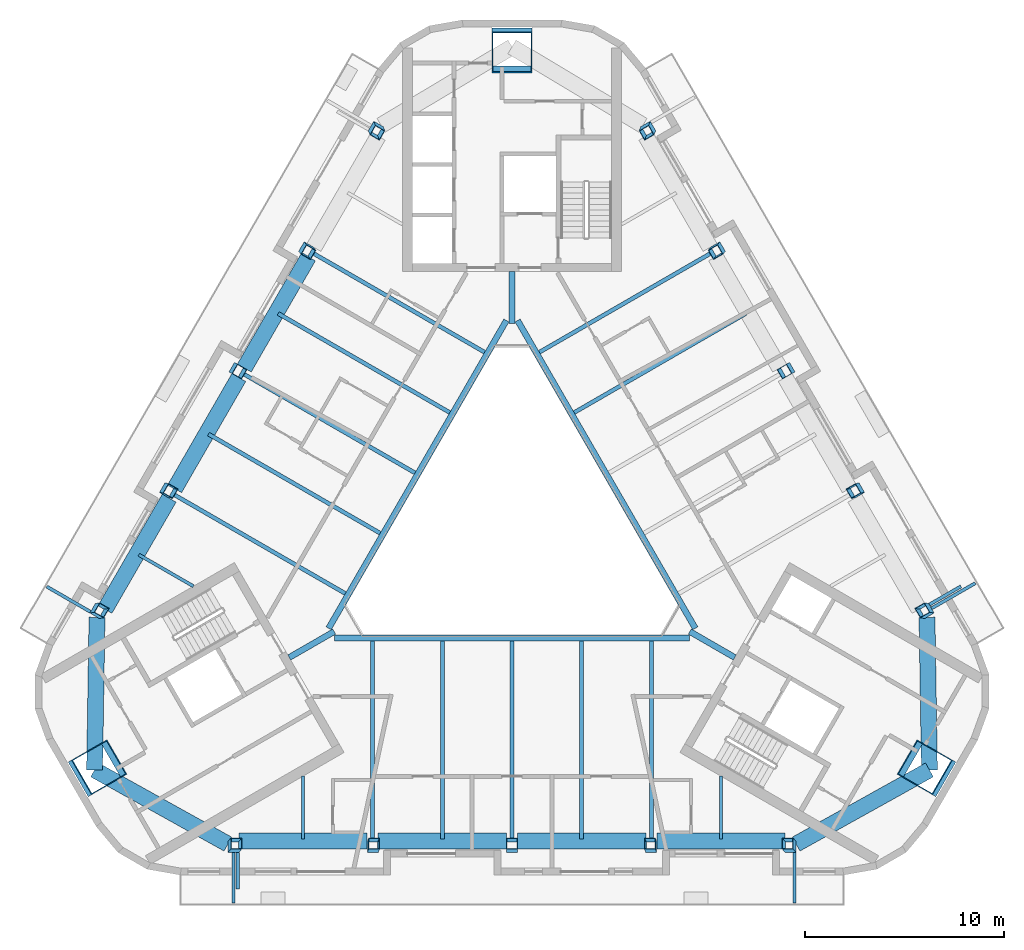
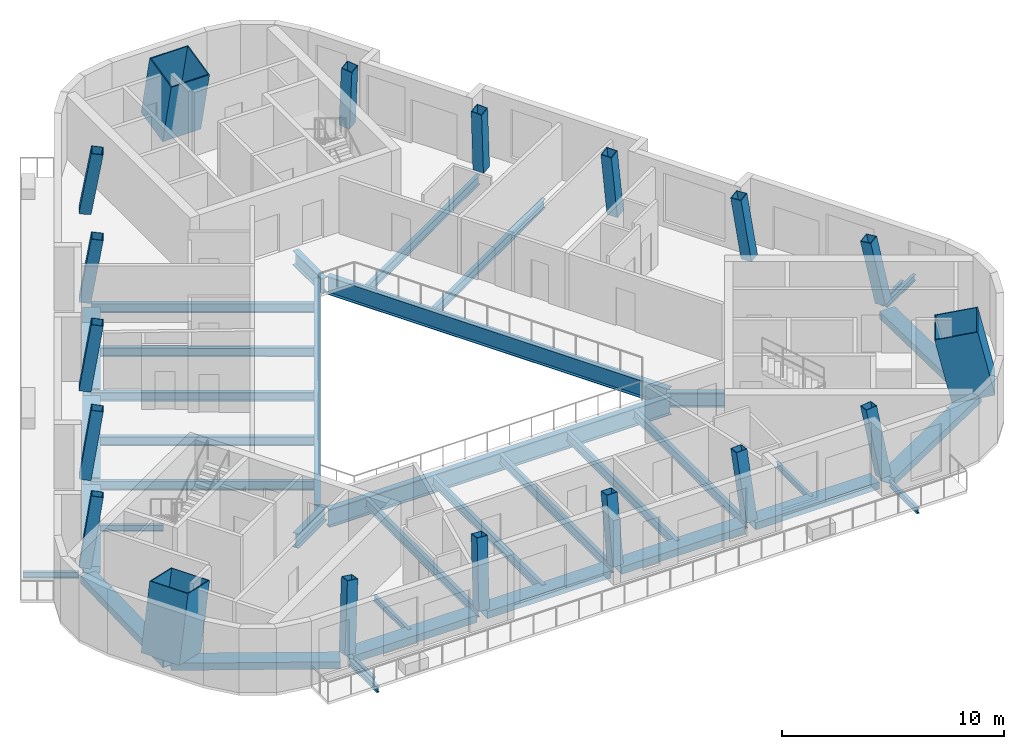
# One storey, part 1 of 13: 38 beams, 18 columns.
"""IFC4 building model written with IfcOpenShell, lengths in metres."""

from ifc_helpers import new_model, si_unit, direction, frame, origin, origin_2d, place, context, subcontext, project, spatial, rectangle, hollow_rectangle, i_section, extrude, boolean, halfspace, material, material_profile, profile_set, type_object, element, save


model = new_model("IFC4")

# Units and contexts
model_context = context("Model", 3, precision=1e-05, world=origin(), true_north=direction((0.0, 1.0)))
body_context = subcontext(model_context, "Body", "Model", "MODEL_VIEW")
ifc_project = project(units=[si_unit("LENGTHUNIT", "METRE"), si_unit("AREAUNIT", "SQUARE_METRE"), si_unit("VOLUMEUNIT", "CUBIC_METRE"), si_unit("PLANEANGLEUNIT", "RADIAN"), si_unit("MASSUNIT", "GRAM", prefix="KILO")], contexts=[model_context])

# Site, building, storey
site_placement = place(None, origin())
site = spatial("IfcSite", under=ifc_project, at=site_placement, CompositionType="ELEMENT")
building_placement = place(site_placement, origin())
building = spatial("IfcBuilding", under=site, at=building_placement, Name="Apuvela Tower Hotel", CompositionType="ELEMENT")
storey_placement = place(building_placement, frame((0.0, 0.0, 298.5)))
storey = spatial("IfcBuildingStorey", under=building, at=storey_placement, Name="L74", CompositionType="ELEMENT", Elevation=298.5)

# Columns
ifc_material_1 = material(Name="Steel S460", Category="steel")
ifc_material_profile_1 = material_profile(ifc_material_1, hollow_rectangle(XDim=2.0, YDim=2.0, WallThickness=0.050048828125, at=origin_2d()), Name="BOX 2000x2000x50")
ifc_material_2 = material(Name="Concrete C80/95", Category="concrete")
ifc_material_profile_2 = material_profile(ifc_material_2, rectangle(XDim=1.89990234375, YDim=1.89990234375, at=origin_2d()), Name="Concrete C80/95 infill")
ifc_profile_set_1 = profile_set([ifc_material_profile_1, ifc_material_profile_2], Name="Steel S460")
column_type_1 = type_object("IfcColumnType", Name="STR-MC mega column BOX 2000x2000x50", PredefinedType="COLUMN", material=ifc_profile_set_1)
for number, where, z_axis, x_axis, name in (
    (1, (0.0, 24.175048828125, 0.0), (0.0, -0.21982618752, 0.975539054718), (1.0, 0.0, 0.0), "Mega column MC4 N"),
    (2, (-20.936279296875, -12.08740234375, 0.0), (0.190408197016, 0.109880592395, 0.975536249416), (-0.499868084483, 0.866101551773, 1.1510724e-05), "Mega column MC4 SW"),
    (3, (20.936279296875, -12.08740234375, 0.0), (-0.190408197016, 0.109880592395, 0.975536249416), (0.499868084483, 0.866101551773, 1.1510724e-05), "Mega column MC4 SE"),
):
    element("IfcColumn", number, at=place(storey_placement, frame(where, z_axis=z_axis, x_axis=x_axis)), inside=storey, type_object=column_type_1, Name=name, PredefinedType="COLUMN", context=body_context, shape_type="SweptSolid", body=[
        boolean("DIFFERENCE", boolean("DIFFERENCE", extrude(hollow_rectangle(XDim=2.0, YDim=2.0, WallThickness=0.050048828125, at=origin_2d()), origin(), (0.0, 0.0, 1.0), 3.792724609375), halfspace(frame((0.0, 0.0, 0.11328125), z_axis=(0.0, 0.0, 1.0), x_axis=(1.0, 0.0, 0.0)), True)), halfspace(frame((0.0, 0.0, 3.679443359375), z_axis=(0.0, 0.0, 1.0), x_axis=(1.0, 0.0, 0.0)), False)),
    ])
ifc_material_profile_3 = material_profile(ifc_material_1, hollow_rectangle(XDim=0.550048828125, YDim=0.550048828125, WallThickness=0.02490234375, at=origin_2d()), Name="BOX 550x550x25")
ifc_material_profile_4 = material_profile(ifc_material_2, rectangle(XDim=0.5, YDim=0.5, at=origin_2d()), Name="Concrete C80/95 infill")
ifc_profile_set_2 = profile_set([ifc_material_profile_3, ifc_material_profile_4], Name="Steel S460")
column_type_2 = type_object("IfcColumnType", Name="STR-PC perimeter column BOX 550x550x25", PredefinedType="COLUMN", material=ifc_profile_set_2)
column_1_placement = place(storey_placement, frame((-13.97412109375, -15.961669921875, 0.0), z_axis=(0.121006106938, 0.150399778714, 0.981191840899), x_axis=(-0.992607126943, 0.008959505222, 0.121040566785)))
element("IfcColumn", 4, at=column_1_placement, inside=storey, type_object=column_type_2, Name="Perimeter column C7 S1", PredefinedType="COLUMN", context=body_context, shape_type="SweptSolid", body=[
    boolean("DIFFERENCE", boolean("DIFFERENCE", extrude(hollow_rectangle(XDim=0.550048828125, YDim=0.550048828125, WallThickness=0.02490234375, at=origin_2d()), origin(), (0.0, 0.0, 1.0), 3.77099609375), halfspace(frame((0.0, 0.0, 0.039794921875), z_axis=(0.0, 0.0, 1.0), x_axis=(1.0, 0.0, 0.0)), True)), halfspace(frame((0.0, 0.0, 3.73095703125), z_axis=(0.0, 0.0, 1.0), x_axis=(1.0, 0.0, 0.0)), False)),
])
column_2_placement = place(storey_placement, frame((-6.987060546875, -15.961669921875, 0.0), z_axis=(0.060870463553, 0.151232178432, 0.986622326361), x_axis=(-0.998135049207, 0.004661833801, 0.060866171632)))
element("IfcColumn", 5, at=column_2_placement, inside=storey, type_object=column_type_2, Name="Perimeter column C7 S2", PredefinedType="COLUMN", context=body_context, shape_type="SweptSolid", body=[
    boolean("DIFFERENCE", boolean("DIFFERENCE", extrude(hollow_rectangle(XDim=0.550048828125, YDim=0.550048828125, WallThickness=0.02490234375, at=origin_2d()), origin(), (0.0, 0.0, 1.0), 3.75), halfspace(frame((0.0, 0.0, 0.033935546875), z_axis=(0.0, 0.0, 1.0), x_axis=(1.0, 0.0, 0.0)), True)), halfspace(frame((0.0, 0.0, 3.71630859375), z_axis=(0.0, 0.0, 1.0), x_axis=(1.0, 0.0, 0.0)), False)),
])
column_3_placement = place(storey_placement, frame((0.0, -15.961669921875, 0.0), z_axis=(0.0, 0.151513133163, 0.98845524455), x_axis=(-1.0, 0.0, 0.0)))
element("IfcColumn", 6, at=column_3_placement, inside=storey, type_object=column_type_2, Name="Perimeter column C7 S3", PredefinedType="COLUMN", context=body_context, shape_type="SweptSolid", body=[
    boolean("DIFFERENCE", boolean("DIFFERENCE", extrude(hollow_rectangle(XDim=0.550048828125, YDim=0.550048828125, WallThickness=0.02490234375, at=origin_2d()), origin(), (0.0, 0.0, 1.0), 3.7431640625), halfspace(frame((0.0, 0.0, 0.031494140625), z_axis=(0.0, 0.0, 1.0), x_axis=(1.0, 0.0, 0.0)), True)), halfspace(frame((0.0, 0.0, 3.711669921875), z_axis=(0.0, 0.0, 1.0), x_axis=(1.0, 0.0, 0.0)), False)),
])
column_4_placement = place(storey_placement, frame((6.987060546875, -15.961669921875, 0.0), z_axis=(-0.060870463553, 0.151232178432, 0.986622326361), x_axis=(0.998135049207, 0.004661833801, 0.060866171632)))
element("IfcColumn", 7, at=column_4_placement, inside=storey, type_object=column_type_2, Name="Perimeter column C7 S4", PredefinedType="COLUMN", context=body_context, shape_type="SweptSolid", body=[
    boolean("DIFFERENCE", boolean("DIFFERENCE", extrude(hollow_rectangle(XDim=0.550048828125, YDim=0.550048828125, WallThickness=0.02490234375, at=origin_2d()), origin(), (0.0, 0.0, 1.0), 3.75), halfspace(frame((0.0, 0.0, 0.033935546875), z_axis=(0.0, 0.0, 1.0), x_axis=(1.0, 0.0, 0.0)), True)), halfspace(frame((0.0, 0.0, 3.71630859375), z_axis=(0.0, 0.0, 1.0), x_axis=(1.0, 0.0, 0.0)), False)),
])
column_5_placement = place(storey_placement, frame((13.97412109375, -15.961669921875, 0.0), z_axis=(-0.121006106938, 0.150399778714, 0.981191840899), x_axis=(0.992607126943, 0.008959505222, 0.121040566785)))
element("IfcColumn", 8, at=column_5_placement, inside=storey, type_object=column_type_2, Name="Perimeter column C7 S5", PredefinedType="COLUMN", context=body_context, shape_type="SweptSolid", body=[
    boolean("DIFFERENCE", boolean("DIFFERENCE", extrude(hollow_rectangle(XDim=0.550048828125, YDim=0.550048828125, WallThickness=0.02490234375, at=origin_2d()), origin(), (0.0, 0.0, 1.0), 3.77099609375), halfspace(frame((0.0, 0.0, 0.039794921875), z_axis=(0.0, 0.0, 1.0), x_axis=(1.0, 0.0, 0.0)), True)), halfspace(frame((0.0, 0.0, 3.73095703125), z_axis=(0.0, 0.0, 1.0), x_axis=(1.0, 0.0, 0.0)), False)),
])
column_6_placement = place(storey_placement, frame((20.810302734375, -4.12109375, 0.0), z_axis=(-0.190735837279, 0.02958801006, 0.981195388309), x_axis=(0.488489055842, -0.864137452388, 0.121016138189)))
element("IfcColumn", 9, at=column_6_placement, inside=storey, type_object=column_type_2, Name="Perimeter column C7 NE1", PredefinedType="COLUMN", context=body_context, shape_type="SweptSolid", body=[
    boolean("DIFFERENCE", boolean("DIFFERENCE", extrude(hollow_rectangle(XDim=0.550048828125, YDim=0.550048828125, WallThickness=0.02490234375, at=origin_2d()), origin(), (0.0, 0.0, 1.0), 3.770751953125), halfspace(frame((0.0, 0.0, 0.039794921875), z_axis=(0.0, 0.0, 1.0), x_axis=(1.0, 0.0, 0.0)), True)), halfspace(frame((0.0, 0.0, 3.73095703125), z_axis=(0.0, 0.0, 1.0), x_axis=(1.0, 0.0, 0.0)), False)),
])
column_7_placement = place(storey_placement, frame((17.316650390625, 1.9296875, 0.0), z_axis=(-0.161388759957, -0.022850929707, 0.98662632398), x_axis=(0.494767653448, -0.866891976592, 0.060854498787)))
element("IfcColumn", 10, at=column_7_placement, inside=storey, type_object=column_type_2, Name="Perimeter column C7 NE2", PredefinedType="COLUMN", context=body_context, shape_type="SweptSolid", body=[
    boolean("DIFFERENCE", boolean("DIFFERENCE", extrude(hollow_rectangle(XDim=0.550048828125, YDim=0.550048828125, WallThickness=0.02490234375, at=origin_2d()), origin(), (0.0, 0.0, 1.0), 3.75), halfspace(frame((0.0, 0.0, 0.033935546875), z_axis=(0.0, 0.0, 1.0), x_axis=(1.0, 0.0, 0.0)), True)), halfspace(frame((0.0, 0.0, 3.71630859375), z_axis=(0.0, 0.0, 1.0), x_axis=(1.0, 0.0, 0.0)), False)),
])
column_8_placement = place(storey_placement, frame((13.8232421875, 7.980712890625, 0.0), z_axis=(-0.131228839908, -0.075723997581, 0.988455799602), x_axis=(0.499841813697, -0.866116713392, 7.933019e-06)))
element("IfcColumn", 11, at=column_8_placement, inside=storey, type_object=column_type_2, Name="Perimeter column C7 NE3", PredefinedType="COLUMN", context=body_context, shape_type="SweptSolid", body=[
    boolean("DIFFERENCE", boolean("DIFFERENCE", extrude(hollow_rectangle(XDim=0.550048828125, YDim=0.550048828125, WallThickness=0.02490234375, at=origin_2d()), origin(), (0.0, 0.0, 1.0), 3.7431640625), halfspace(frame((0.0, 0.0, 0.031494140625), z_axis=(0.0, 0.0, 1.0), x_axis=(1.0, 0.0, 0.0)), True)), halfspace(frame((0.0, 0.0, 3.711669921875), z_axis=(0.0, 0.0, 1.0), x_axis=(1.0, 0.0, 0.0)), False)),
])
column_9_placement = place(storey_placement, frame((10.32958984375, 14.03173828125, 0.0), z_axis=(-0.100518021011, -0.128316722417, 0.98662604172), x_axis=(-0.503129383785, 0.862065632243, 0.060857775822)))
element("IfcColumn", 12, at=column_9_placement, inside=storey, type_object=column_type_2, Name="Perimeter column C7 NE4", PredefinedType="COLUMN", context=body_context, shape_type="SweptSolid", body=[
    boolean("DIFFERENCE", boolean("DIFFERENCE", extrude(hollow_rectangle(XDim=0.550048828125, YDim=0.550048828125, WallThickness=0.02490234375, at=origin_2d()), origin(), (0.0, 0.0, 1.0), 3.75), halfspace(frame((0.0, 0.0, 0.033935546875), z_axis=(0.0, 0.0, 1.0), x_axis=(1.0, 0.0, 0.0)), True)), halfspace(frame((0.0, 0.0, 3.71630859375), z_axis=(0.0, 0.0, 1.0), x_axis=(1.0, 0.0, 0.0)), False)),
])
for number, where, z_axis, x_axis, name in (
    (13, (6.836181640625, 20.0830078125, 0.0), (-0.069728397733, -0.180050765176, 0.981182792608), (-0.504246941598, 0.855030910201, 0.121066776982), "Perimeter column C7 NE5"),
    (14, (-6.836181640625, 20.0830078125, 0.0), (0.069728397733, -0.180050765176, 0.981182792608), (0.504246941598, 0.855030910201, 0.121066776982), "Perimeter column C7 NW1"),
):
    element("IfcColumn", number, at=place(storey_placement, frame(where, z_axis=z_axis, x_axis=x_axis)), inside=storey, type_object=column_type_2, Name=name, PredefinedType="COLUMN", context=body_context, shape_type="SweptSolid", body=[
        boolean("DIFFERENCE", boolean("DIFFERENCE", extrude(hollow_rectangle(XDim=0.550048828125, YDim=0.550048828125, WallThickness=0.02490234375, at=origin_2d()), origin(), (0.0, 0.0, 1.0), 3.77099609375), halfspace(frame((0.0, 0.0, 0.039794921875), z_axis=(0.0, 0.0, 1.0), x_axis=(1.0, 0.0, 0.0)), True)), halfspace(frame((0.0, 0.0, 3.73095703125), z_axis=(0.0, 0.0, 1.0), x_axis=(1.0, 0.0, 0.0)), False)),
    ])
column_10_placement = place(storey_placement, frame((-10.32958984375, 14.03173828125, 0.0), z_axis=(0.100518021011, -0.128316722417, 0.98662604172), x_axis=(0.503129383785, 0.862065632243, 0.060857775822)))
element("IfcColumn", 15, at=column_10_placement, inside=storey, type_object=column_type_2, Name="Perimeter column C7 NW2", PredefinedType="COLUMN", context=body_context, shape_type="SweptSolid", body=[
    boolean("DIFFERENCE", boolean("DIFFERENCE", extrude(hollow_rectangle(XDim=0.550048828125, YDim=0.550048828125, WallThickness=0.02490234375, at=origin_2d()), origin(), (0.0, 0.0, 1.0), 3.75), halfspace(frame((0.0, 0.0, 0.033935546875), z_axis=(0.0, 0.0, 1.0), x_axis=(1.0, 0.0, 0.0)), True)), halfspace(frame((0.0, 0.0, 3.71630859375), z_axis=(0.0, 0.0, 1.0), x_axis=(1.0, 0.0, 0.0)), False)),
])
column_11_placement = place(storey_placement, frame((-13.8232421875, 7.980712890625, 0.0), z_axis=(0.131228839908, -0.075723997581, 0.988455799602), x_axis=(-0.499841813697, -0.866116713392, 7.933019e-06)))
element("IfcColumn", 16, at=column_11_placement, inside=storey, type_object=column_type_2, Name="Perimeter column C7 NW3", PredefinedType="COLUMN", context=body_context, shape_type="SweptSolid", body=[
    boolean("DIFFERENCE", boolean("DIFFERENCE", extrude(hollow_rectangle(XDim=0.550048828125, YDim=0.550048828125, WallThickness=0.02490234375, at=origin_2d()), origin(), (0.0, 0.0, 1.0), 3.7431640625), halfspace(frame((0.0, 0.0, 0.031494140625), z_axis=(0.0, 0.0, 1.0), x_axis=(1.0, 0.0, 0.0)), True)), halfspace(frame((0.0, 0.0, 3.711669921875), z_axis=(0.0, 0.0, 1.0), x_axis=(1.0, 0.0, 0.0)), False)),
])
column_12_placement = place(storey_placement, frame((-17.316650390625, 1.9296875, 0.0), z_axis=(0.161388759957, -0.022850929707, 0.98662632398), x_axis=(-0.494767653448, -0.866891976592, 0.060854498787)))
element("IfcColumn", 17, at=column_12_placement, inside=storey, type_object=column_type_2, Name="Perimeter column C7 NW4", PredefinedType="COLUMN", context=body_context, shape_type="SweptSolid", body=[
    boolean("DIFFERENCE", boolean("DIFFERENCE", extrude(hollow_rectangle(XDim=0.550048828125, YDim=0.550048828125, WallThickness=0.02490234375, at=origin_2d()), origin(), (0.0, 0.0, 1.0), 3.75), halfspace(frame((0.0, 0.0, 0.033935546875), z_axis=(0.0, 0.0, 1.0), x_axis=(1.0, 0.0, 0.0)), True)), halfspace(frame((0.0, 0.0, 3.71630859375), z_axis=(0.0, 0.0, 1.0), x_axis=(1.0, 0.0, 0.0)), False)),
])
column_13_placement = place(storey_placement, frame((-20.810302734375, -4.12109375, 0.0), z_axis=(0.190735837279, 0.02958801006, 0.981195388309), x_axis=(-0.488489055842, -0.864137452388, 0.121016138189)))
element("IfcColumn", 18, at=column_13_placement, inside=storey, type_object=column_type_2, Name="Perimeter column C7 NW5", PredefinedType="COLUMN", context=body_context, shape_type="SweptSolid", body=[
    boolean("DIFFERENCE", boolean("DIFFERENCE", extrude(hollow_rectangle(XDim=0.550048828125, YDim=0.550048828125, WallThickness=0.02490234375, at=origin_2d()), origin(), (0.0, 0.0, 1.0), 3.770751953125), halfspace(frame((0.0, 0.0, 0.039794921875), z_axis=(0.0, 0.0, 1.0), x_axis=(1.0, 0.0, 0.0)), True)), halfspace(frame((0.0, 0.0, 3.73095703125), z_axis=(0.0, 0.0, 1.0), x_axis=(1.0, 0.0, 0.0)), False)),
])

# Beams
ifc_material_3 = material(Name="Steel S355", Category="steel")
ifc_material_profile_5 = material_profile(ifc_material_3, i_section(OverallWidth=0.159912109375, OverallDepth=0.330078125, WebThickness=0.007568359375, FlangeThickness=0.011474609375, at=origin_2d()), Name="IPE 330")
ifc_profile_set_3 = profile_set([ifc_material_profile_5], Name="Steel S355")
beam_type_1 = type_object("IfcBeamType", Name="ENV-BALCONY-BEAM-IPE330", PredefinedType="BEAM", material=ifc_profile_set_3)
beam_1_placement = place(storey_placement, frame((-13.97412109375, -16.236572265625, -0.31494140625), z_axis=(0.0, -1.0, 0.0), x_axis=(1.0, 0.0, 0.0)))
element("IfcBeam", 19, at=beam_1_placement, inside=storey, type_object=beam_type_1, Name="Balcony cantilever beam S1 L74", PredefinedType="BEAM", context=body_context, shape_type="SweptSolid", body=[
    extrude(i_section(OverallWidth=0.159912109375, OverallDepth=0.330078125, WebThickness=0.007568359375, FlangeThickness=0.011474609375, at=origin_2d()), origin(), (0.0, 0.0, 1.0), 2.525146484375),
])
beam_2_placement = place(storey_placement, frame((-13.754150390625, -16.236572265625, -0.31494140625), z_axis=(0.0, -1.0, 0.0), x_axis=(1.0, 0.0, 0.0)))
element("IfcBeam", 20, at=beam_2_placement, inside=storey, type_object=beam_type_1, Name="Balcony cantilever beam S2 L74", PredefinedType="BEAM", context=body_context, shape_type="SweptSolid", body=[
    extrude(i_section(OverallWidth=0.159912109375, OverallDepth=0.330078125, WebThickness=0.007568359375, FlangeThickness=0.011474609375, at=origin_2d()), origin(), (0.0, 0.0, 1.0), 1.824951171875),
])
beam_3_placement = place(storey_placement, frame((14.17431640625, -16.236572265625, -0.31494140625), z_axis=(0.0, -1.0, 0.0), x_axis=(1.0, 0.0, 0.0)))
element("IfcBeam", 21, at=beam_3_placement, inside=storey, type_object=beam_type_1, Name="Balcony cantilever beam S3 L74", PredefinedType="BEAM", context=body_context, shape_type="SweptSolid", body=[
    extrude(i_section(OverallWidth=0.159912109375, OverallDepth=0.330078125, WebThickness=0.007568359375, FlangeThickness=0.011474609375, at=origin_2d()), origin(), (0.0, 0.0, 1.0), 2.525146484375),
])
beam_4_placement = place(storey_placement, frame((21.048583984375, -3.983642578125, -0.31494140625), z_axis=(0.866014894461, 0.50001820224, 0.0), x_axis=(-0.50001820224, 0.866014894461, 0.0)))
element("IfcBeam", 22, at=beam_4_placement, inside=storey, type_object=beam_type_1, Name="Balcony cantilever beam NE1 L74", PredefinedType="BEAM", context=body_context, shape_type="SweptSolid", body=[
    extrude(i_section(OverallWidth=0.159912109375, OverallDepth=0.330078125, WebThickness=0.007568359375, FlangeThickness=0.011474609375, at=origin_2d()), origin(), (0.0, 0.0, 1.0), 2.52490234375),
])
beam_5_placement = place(storey_placement, frame((20.9384765625, -3.793212890625, -0.31494140625), z_axis=(0.866011828767, 0.500023511883, 0.0), x_axis=(-0.500023511883, 0.866011828767, 0.0)))
element("IfcBeam", 23, at=beam_5_placement, inside=storey, type_object=beam_type_1, Name="Balcony cantilever beam NE2 L74", PredefinedType="BEAM", context=body_context, shape_type="SweptSolid", body=[
    extrude(i_section(OverallWidth=0.159912109375, OverallDepth=0.330078125, WebThickness=0.007568359375, FlangeThickness=0.011474609375, at=origin_2d()), origin(), (0.0, 0.0, 1.0), 1.8251953125),
])
beam_6_placement = place(storey_placement, frame((-21.1484375, -4.156982421875, -0.31494140625), z_axis=(-0.865997200291, 0.500048846702, 0.0), x_axis=(-0.500048846702, -0.865997200291, 0.0)))
element("IfcBeam", 24, at=beam_6_placement, inside=storey, type_object=beam_type_1, Name="Balcony cantilever beam NW3 L74", PredefinedType="BEAM", context=body_context, shape_type="SweptSolid", body=[
    extrude(i_section(OverallWidth=0.159912109375, OverallDepth=0.330078125, WebThickness=0.007568359375, FlangeThickness=0.011474609375, at=origin_2d()), origin(), (0.0, 0.0, 1.0), 2.525146484375),
])
ifc_material_profile_6 = material_profile(ifc_material_3, i_section(OverallWidth=0.159912109375, OverallDepth=0.330078125, WebThickness=0.007568359375, FlangeThickness=0.011474609375, at=origin_2d()), Name="IPE 330")
ifc_profile_set_4 = profile_set([ifc_material_profile_6], Name="Steel S355")
beam_type_2 = type_object("IfcBeamType", Name="STR-B floor beam IPE 330", PredefinedType="BEAM", material=ifc_profile_set_4)
for number, where, z_axis, x_axis, name in (
    (25, (-18.717041015625, -1.295654296875, -0.31494140625), (0.866023457084, -0.500003371769, 0.0), (0.500003371769, 0.866023457084, 0.0), "Floor beam B1 NW8"),
    (26, (-10.480712890625, -15.5615234375, -0.31494140625), (0.0, 1.0, 0.0), (-1.0, 0.0, 0.0), "Floor beam B1 S2"),
    (27, (10.480712890625, -15.5615234375, -0.31494140625), (0.0, 1.0, 0.0), (-1.0, 0.0, 0.0), "Floor beam B1 S8"),
):
    element("IfcBeam", number, at=place(storey_placement, frame(where, z_axis=z_axis, x_axis=x_axis)), inside=storey, type_object=beam_type_2, Name=name, PredefinedType="BEAM", context=body_context, shape_type="SweptSolid", body=[
        extrude(i_section(OverallWidth=0.159912109375, OverallDepth=0.330078125, WebThickness=0.007568359375, FlangeThickness=0.011474609375, at=origin_2d()), origin(), (0.0, 0.0, 1.0), 3.15966796875),
    ])
ifc_material_profile_7 = material_profile(ifc_material_3, i_section(OverallWidth=0.199951171875, OverallDepth=0.5, WebThickness=0.01025390625, FlangeThickness=0.01611328125, at=origin_2d()), Name="IPE 500")
ifc_profile_set_5 = profile_set([ifc_material_profile_7], Name="Steel S355")
beam_type_3 = type_object("IfcBeamType", Name="STR-B floor beam IPE 500", PredefinedType="BEAM", material=ifc_profile_set_5)
beam_7_placement = place(storey_placement, frame((11.72998046875, 10.806396484375, -0.39990234375), z_axis=(-0.866017505439, -0.500013680086, 0.0), x_axis=(0.500013680086, -0.866017505439, 0.0)))
element("IfcBeam", 28, at=beam_7_placement, inside=storey, type_object=beam_type_3, Name="Floor beam B3 NE6", PredefinedType="BEAM", context=body_context, shape_type="SweptSolid", body=[
    extrude(i_section(OverallWidth=0.199951171875, OverallDepth=0.5, WebThickness=0.01025390625, FlangeThickness=0.01611328125, at=origin_2d()), origin(), (0.0, 0.0, 1.0), 9.941650390625),
])
for number, where, z_axis, x_axis, name in (
    (29, (10.091552734375, 13.894287109375, -0.39990234375), (-0.866031712701, -0.499989072476, 0.0), (0.499989072476, -0.866031712701, 0.0), "Floor beam B3 NE7"),
    (30, (-10.091552734375, 13.894287109375, -0.39990234375), (0.866031712701, -0.499989072476, 0.0), (0.499989072476, 0.866031712701, 0.0), "Floor beam B3 NW3"),
):
    element("IfcBeam", number, at=place(storey_placement, frame(where, z_axis=z_axis, x_axis=x_axis)), inside=storey, type_object=beam_type_3, Name=name, PredefinedType="BEAM", context=body_context, shape_type="SweptSolid", body=[
        extrude(i_section(OverallWidth=0.199951171875, OverallDepth=0.5, WebThickness=0.01025390625, FlangeThickness=0.01611328125, at=origin_2d()), origin(), (0.0, 0.0, 1.0), 10.066650390625),
    ])
beam_8_placement = place(storey_placement, frame((-11.72998046875, 10.806396484375, -0.39990234375), z_axis=(0.866017505439, -0.500013680086, 0.0), x_axis=(0.500013680086, 0.866017505439, 0.0)))
element("IfcBeam", 31, at=beam_8_placement, inside=storey, type_object=beam_type_3, Name="Floor beam B3 NW4", PredefinedType="BEAM", context=body_context, shape_type="SweptSolid", body=[
    extrude(i_section(OverallWidth=0.199951171875, OverallDepth=0.5, WebThickness=0.01025390625, FlangeThickness=0.01611328125, at=origin_2d()), origin(), (0.0, 0.0, 1.0), 9.941650390625),
])
beam_9_placement = place(storey_placement, frame((-13.5849609375, 7.84326171875, -0.39990234375), z_axis=(0.866025649656, -0.499999574138, 0.0), x_axis=(0.499999574138, 0.866025649656, 0.0)))
element("IfcBeam", 32, at=beam_9_placement, inside=storey, type_object=beam_type_3, Name="Floor beam B3 NW5", PredefinedType="BEAM", context=body_context, shape_type="SweptSolid", body=[
    extrude(i_section(OverallWidth=0.199951171875, OverallDepth=0.5, WebThickness=0.01025390625, FlangeThickness=0.01611328125, at=origin_2d()), origin(), (0.0, 0.0, 1.0), 10.06640625),
])
beam_10_placement = place(storey_placement, frame((-15.2236328125, 4.75537109375, -0.39990234375), z_axis=(0.866023644935, -0.500003046405, 0.0), x_axis=(0.500003046405, 0.866023644935, 0.0)))
element("IfcBeam", 33, at=beam_10_placement, inside=storey, type_object=beam_type_3, Name="Floor beam B3 NW6", PredefinedType="BEAM", context=body_context, shape_type="SweptSolid", body=[
    extrude(i_section(OverallWidth=0.199951171875, OverallDepth=0.5, WebThickness=0.01025390625, FlangeThickness=0.01611328125, at=origin_2d()), origin(), (0.0, 0.0, 1.0), 9.94189453125),
])
beam_11_placement = place(storey_placement, frame((-17.07861328125, 1.792236328125, -0.39990234375), z_axis=(0.866031712701, -0.499989072476, 0.0), x_axis=(0.499989072476, 0.866031712701, 0.0)))
element("IfcBeam", 34, at=beam_11_placement, inside=storey, type_object=beam_type_3, Name="Floor beam B3 NW7", PredefinedType="BEAM", context=body_context, shape_type="SweptSolid", body=[
    extrude(i_section(OverallWidth=0.199951171875, OverallDepth=0.5, WebThickness=0.01025390625, FlangeThickness=0.01611328125, at=origin_2d()), origin(), (0.0, 0.0, 1.0), 10.066650390625),
])
beam_12_placement = place(storey_placement, frame((-6.987060546875, -15.6865234375, -0.39990234375), z_axis=(0.0, 1.0, 0.0), x_axis=(-1.0, 0.0, 0.0)))
element("IfcBeam", 35, at=beam_12_placement, inside=storey, type_object=beam_type_3, Name="Floor beam B3 S3", PredefinedType="BEAM", context=body_context, shape_type="SweptSolid", body=[
    extrude(i_section(OverallWidth=0.199951171875, OverallDepth=0.5, WebThickness=0.01025390625, FlangeThickness=0.01611328125, at=origin_2d()), origin(), (0.0, 0.0, 1.0), 10.06640625),
])
beam_13_placement = place(storey_placement, frame((-3.49365234375, -15.5615234375, -0.39990234375), z_axis=(0.0, 1.0, 0.0), x_axis=(-1.0, 0.0, 0.0)))
element("IfcBeam", 36, at=beam_13_placement, inside=storey, type_object=beam_type_3, Name="Floor beam B3 S4", PredefinedType="BEAM", context=body_context, shape_type="SweptSolid", body=[
    extrude(i_section(OverallWidth=0.199951171875, OverallDepth=0.5, WebThickness=0.01025390625, FlangeThickness=0.01611328125, at=origin_2d()), origin(), (0.0, 0.0, 1.0), 9.94140625),
])
beam_14_placement = place(storey_placement, frame((0.0, -15.6865234375, -0.39990234375), z_axis=(0.0, 1.0, 0.0), x_axis=(-1.0, 0.0, 0.0)))
element("IfcBeam", 37, at=beam_14_placement, inside=storey, type_object=beam_type_3, Name="Floor beam B3 S5", PredefinedType="BEAM", context=body_context, shape_type="SweptSolid", body=[
    extrude(i_section(OverallWidth=0.199951171875, OverallDepth=0.5, WebThickness=0.01025390625, FlangeThickness=0.01611328125, at=origin_2d()), origin(), (0.0, 0.0, 1.0), 10.06640625),
])
beam_15_placement = place(storey_placement, frame((3.49365234375, -15.5615234375, -0.39990234375), z_axis=(0.0, 1.0, 0.0), x_axis=(-1.0, 0.0, 0.0)))
element("IfcBeam", 38, at=beam_15_placement, inside=storey, type_object=beam_type_3, Name="Floor beam B3 S6", PredefinedType="BEAM", context=body_context, shape_type="SweptSolid", body=[
    extrude(i_section(OverallWidth=0.199951171875, OverallDepth=0.5, WebThickness=0.01025390625, FlangeThickness=0.01611328125, at=origin_2d()), origin(), (0.0, 0.0, 1.0), 9.94140625),
])
beam_16_placement = place(storey_placement, frame((6.987060546875, -15.6865234375, -0.39990234375), z_axis=(0.0, 1.0, 0.0), x_axis=(-1.0, 0.0, 0.0)))
element("IfcBeam", 39, at=beam_16_placement, inside=storey, type_object=beam_type_3, Name="Floor beam B3 S7", PredefinedType="BEAM", context=body_context, shape_type="SweptSolid", body=[
    extrude(i_section(OverallWidth=0.199951171875, OverallDepth=0.5, WebThickness=0.01025390625, FlangeThickness=0.01611328125, at=origin_2d()), origin(), (0.0, 0.0, 1.0), 10.06640625),
])
ifc_material_profile_8 = material_profile(ifc_material_3, i_section(OverallWidth=0.300048828125, OverallDepth=0.989990234375, WebThickness=0.0166015625, FlangeThickness=0.031005859375, at=origin_2d()), Name="HE 1000 A")
ifc_profile_set_6 = profile_set([ifc_material_profile_8], Name="Steel S355")
beam_type_4 = type_object("IfcBeamType", Name="STR-G atrium ring girder HE 1000 A", PredefinedType="BEAM", material=ifc_profile_set_6)
beam_17_placement = place(storey_placement, frame((-0.27978515625, 10.455078125, -0.64501953125), z_axis=(-0.500006541319, -0.866021627119, 0.0), x_axis=(0.866021627119, -0.500006541319, 0.0)))
element("IfcBeam", 40, at=beam_17_placement, inside=storey, type_object=beam_type_4, Name="Atrium ring girder G3 N-SW", PredefinedType="BEAM", context=body_context, shape_type="SweptSolid", body=[
    extrude(i_section(OverallWidth=0.300048828125, OverallDepth=0.989990234375, WebThickness=0.0166015625, FlangeThickness=0.031005859375, at=origin_2d()), origin(), (0.0, 0.0, 1.0), 17.828857421875),
])
beam_18_placement = place(storey_placement, frame((-8.91455078125, -5.469970703125, -0.64501953125), z_axis=(1.0, 0.0, 0.0), x_axis=(0.0, 1.0, 0.0)))
element("IfcBeam", 41, at=beam_18_placement, inside=storey, type_object=beam_type_4, Name="Atrium ring girder G3 SW-SE", PredefinedType="BEAM", context=body_context, shape_type="SweptSolid", body=[
    extrude(i_section(OverallWidth=0.300048828125, OverallDepth=0.989990234375, WebThickness=0.0166015625, FlangeThickness=0.031005859375, at=origin_2d()), origin(), (0.0, 0.0, 1.0), 17.8291015625),
])
beam_19_placement = place(storey_placement, frame((9.1943359375, -4.985107421875, -0.64501953125), z_axis=(-0.500006541319, 0.866021627119, 0.0), x_axis=(-0.866021627119, -0.500006541319, 0.0)))
element("IfcBeam", 42, at=beam_19_placement, inside=storey, type_object=beam_type_4, Name="Atrium ring girder G3 SE-N", PredefinedType="BEAM", context=body_context, shape_type="SweptSolid", body=[
    extrude(i_section(OverallWidth=0.300048828125, OverallDepth=0.989990234375, WebThickness=0.0166015625, FlangeThickness=0.031005859375, at=origin_2d()), origin(), (0.0, 0.0, 1.0), 17.828857421875),
])
ifc_material_profile_9 = material_profile(ifc_material_3, i_section(OverallWidth=0.300048828125, OverallDepth=0.800048828125, WebThickness=0.017578125, FlangeThickness=0.032958984375, at=origin_2d()), Name="HE 800 B")
ifc_profile_set_7 = profile_set([ifc_material_profile_9], Name="Steel S355")
beam_type_5 = type_object("IfcBeamType", Name="STR-GT core tie beam HE 800 B", PredefinedType="BEAM", material=ifc_profile_set_7)
for number, where, z_axis, x_axis, name in (
    (43, (0.0, 12.89990234375, -0.550048828125), (0.0, -1.0, 0.0), (1.0, 0.0, 0.0), "Core tie beam GT1 N"),
    (44, (-11.171630859375, -6.449951171875, -0.550048828125), (0.865997922154, 0.500047596559, 0.0), (-0.500047596559, 0.865997922154, 0.0), "Core tie beam GT1 SW"),
    (45, (11.171630859375, -6.449951171875, -0.550048828125), (-0.865997922154, 0.500047596559, 0.0), (-0.500047596559, -0.865997922154, 0.0), "Core tie beam GT1 SE"),
):
    element("IfcBeam", number, at=place(storey_placement, frame(where, z_axis=z_axis, x_axis=x_axis)), inside=storey, type_object=beam_type_5, Name=name, PredefinedType="BEAM", context=body_context, shape_type="SweptSolid", body=[
        extrude(i_section(OverallWidth=0.300048828125, OverallDepth=0.800048828125, WebThickness=0.017578125, FlangeThickness=0.032958984375, at=origin_2d()), origin(), (0.0, 0.0, 1.0), 2.599853515625),
    ])
ifc_material_profile_10 = material_profile(ifc_material_1, hollow_rectangle(XDim=0.800048828125, YDim=0.39990234375, WallThickness=0.02490234375, at=origin_2d()), Name="BOX 800x400x25")
ifc_profile_set_8 = profile_set([ifc_material_profile_10], Name="Steel S460")
beam_type_6 = type_object("IfcBeamType", Name="STR-RB perimeter ring beam BOX 800x400x25", PredefinedType="SPANDREL", material=ifc_profile_set_8)
beam_20_placement = place(storey_placement, frame((-13.69921875, -15.66162109375, -0.39990234375), z_axis=(1.0, 0.0, 0.0), x_axis=(0.0, 1.0, 0.0)))
element("IfcBeam", 46, at=beam_20_placement, inside=storey, type_object=beam_type_6, Name="Ring beam RB1 S1", PredefinedType="SPANDREL", context=body_context, shape_type="SweptSolid", body=[
    extrude(hollow_rectangle(XDim=0.800048828125, YDim=0.39990234375, WallThickness=0.02490234375, at=origin_2d()), origin(), (0.0, 0.0, 1.0), 6.43701171875),
])
for number, where, z_axis, x_axis, name in (
    (47, (-6.712158203125, -15.66162109375, -0.39990234375), (1.0, 0.0, 0.0), (0.0, 1.0, 0.0), "Ring beam RB1 S2"),
    (48, (0.27490234375, -15.66162109375, -0.39990234375), (1.0, 0.0, 0.0), (0.0, 1.0, 0.0), "Ring beam RB1 S3"),
):
    element("IfcBeam", number, at=place(storey_placement, frame(where, z_axis=z_axis, x_axis=x_axis)), inside=storey, type_object=beam_type_6, Name=name, PredefinedType="SPANDREL", context=body_context, shape_type="SweptSolid", body=[
        extrude(hollow_rectangle(XDim=0.800048828125, YDim=0.39990234375, WallThickness=0.02490234375, at=origin_2d()), origin(), (0.0, 0.0, 1.0), 6.437255859375),
    ])
for number, where, z_axis, x_axis, name in (
    (49, (7.26220703125, -15.66162109375, -0.39990234375), (1.0, 0.0, 0.0), (0.0, 1.0, 0.0), "Ring beam RB1 S4"),
    (50, (-10.207275390625, 13.643798828125, -0.39990234375), (-0.499993854458, -0.866028951885, 0.0), (0.866028951885, -0.499993854458, 0.0), "Ring beam RB1 NW2"),
    (51, (-13.700927734375, 7.5927734375, -0.39990234375), (-0.499993854458, -0.866028951885, 0.0), (0.866028951885, -0.499993854458, 0.0), "Ring beam RB1 NW3"),
):
    element("IfcBeam", number, at=place(storey_placement, frame(where, z_axis=z_axis, x_axis=x_axis)), inside=storey, type_object=beam_type_6, Name=name, PredefinedType="SPANDREL", context=body_context, shape_type="SweptSolid", body=[
        extrude(hollow_rectangle(XDim=0.800048828125, YDim=0.39990234375, WallThickness=0.02490234375, at=origin_2d()), origin(), (0.0, 0.0, 1.0), 6.43701171875),
    ])
beam_21_placement = place(storey_placement, frame((-17.1943359375, 1.54150390625, -0.39990234375), z_axis=(-0.500022299258, -0.866012528919, 0.0), x_axis=(0.866012528919, -0.500022299258, 0.0)))
element("IfcBeam", 52, at=beam_21_placement, inside=storey, type_object=beam_type_6, Name="Ring beam RB1 NW4", PredefinedType="SPANDREL", context=body_context, shape_type="SweptSolid", body=[
    extrude(hollow_rectangle(XDim=0.800048828125, YDim=0.39990234375, WallThickness=0.02490234375, at=origin_2d()), origin(), (0.0, 0.0, 1.0), 6.437255859375),
])
for number, where, z_axis, x_axis, name in (
    (53, (-14.249267578125, -15.80859375, -0.39990234375), (-0.873813953843, 0.486260397389, 0.0), (-0.486260397389, -0.873813953843, 0.0), "Ring beam RB1 S1-SW"),
    (54, (14.249267578125, -15.80859375, -0.39990234375), (0.873813953843, 0.486260397389, 0.0), (-0.486260397389, 0.873813953843, 0.0), "Ring beam RB1 S5-SE"),
    (55, (20.815185546875, -4.435791015625, -0.39990234375), (0.015823933432, -0.999874793727, 0.0), (0.999874793727, 0.015823933432, 0.0), "Ring beam RB1 NE1-SE"),
    (56, (-20.815185546875, -4.435791015625, -0.39990234375), (-0.015823933432, -0.999874793727, 0.0), (0.999874793727, -0.015823933432, 0.0), "Ring beam RB1 NW5-SW"),
):
    element("IfcBeam", number, at=place(storey_placement, frame(where, z_axis=z_axis, x_axis=x_axis)), inside=storey, type_object=beam_type_6, Name=name, PredefinedType="SPANDREL", context=body_context, shape_type="SweptSolid", body=[
        extrude(hollow_rectangle(XDim=0.800048828125, YDim=0.39990234375, WallThickness=0.02490234375, at=origin_2d()), origin(), (0.0, 0.0, 1.0), 7.652587890625),
    ])

save(model, "model.ifc")
